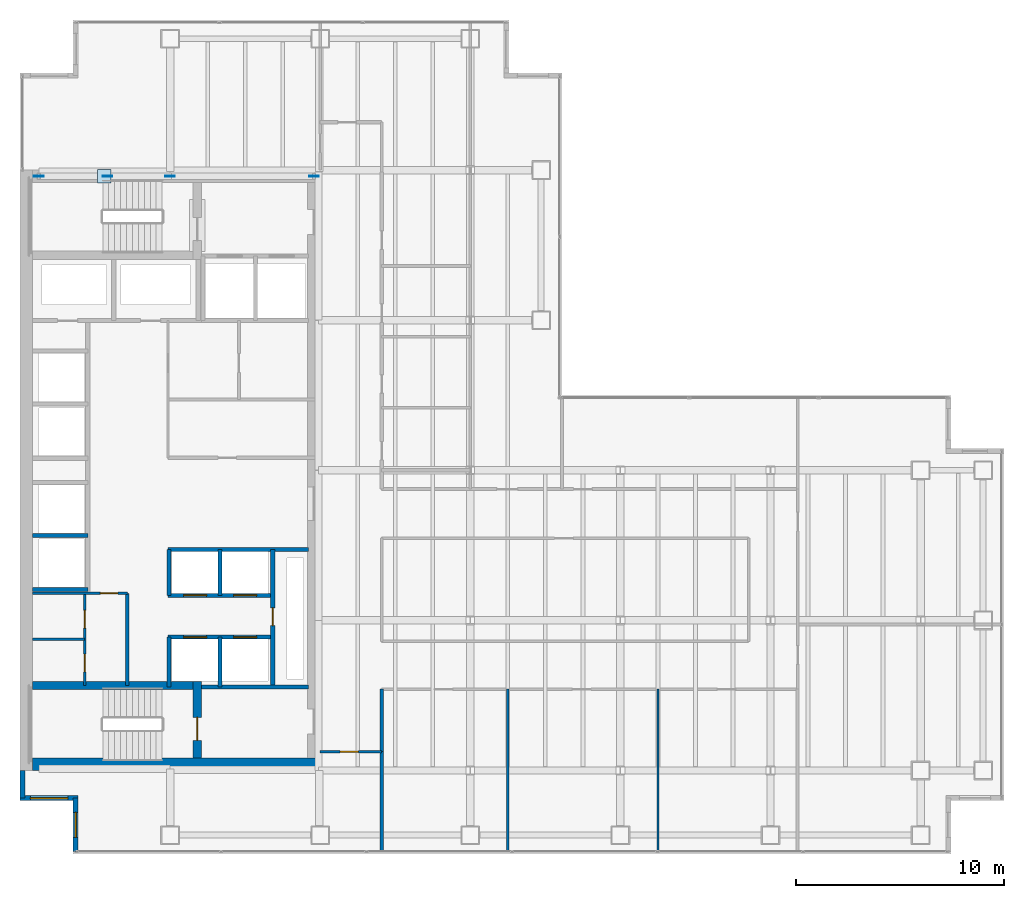
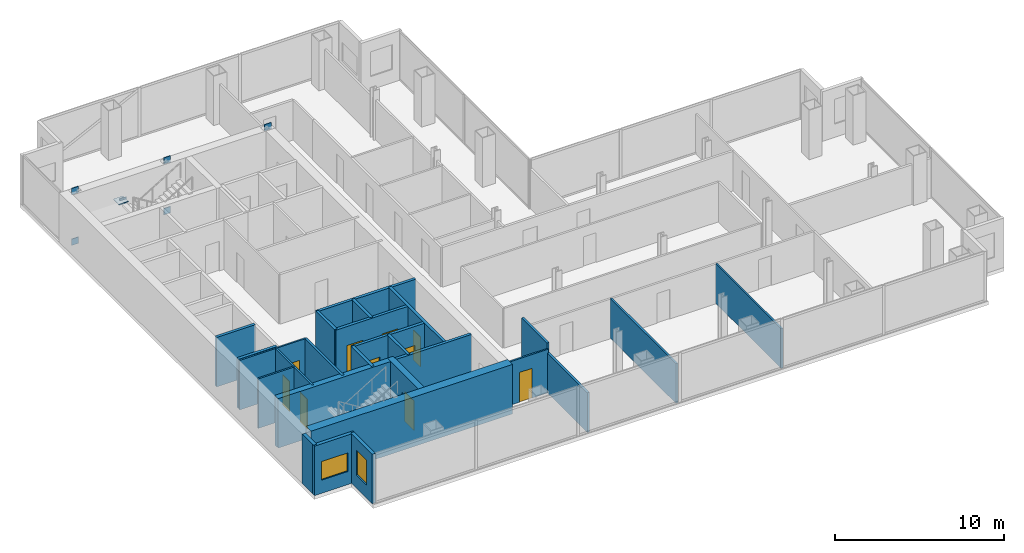
# One storey, part 20 of 24: 26 walls, 10 doors, 7 plates, 2 windows, 12 openings.
"""IFC4 building model written with IfcOpenShell, lengths in metres."""

from ifc_helpers import new_model, si_unit, direction, frame, frame_2d, origin, origin_2d, place, context, subcontext, project, spatial, rectangle, extrude, material, layer, layer_set, type_object, element, fill, save


model = new_model("IFC4")

# Units and contexts
model_context = context("Model", 3, precision=1e-05, world=origin(), true_north=direction((0.0, 1.0)))
body_context = subcontext(model_context, "Body", "Model", "MODEL_VIEW")
ifc_project = project(units=[si_unit("LENGTHUNIT", "METRE"), si_unit("AREAUNIT", "SQUARE_METRE"), si_unit("VOLUMEUNIT", "CUBIC_METRE"), si_unit("PLANEANGLEUNIT", "RADIAN"), si_unit("MASSUNIT", "GRAM", prefix="KILO")], contexts=[model_context])

# Site, building, storey
site_placement = place(None, origin())
site = spatial("IfcSite", under=ifc_project, at=site_placement, CompositionType="ELEMENT")
building_placement = place(site_placement, origin())
building = spatial("IfcBuilding", under=site, at=building_placement, Name="Cobrela Telecom Tower", CompositionType="ELEMENT")
storey_placement = place(building_placement, frame((0.0, 0.0, 136.85009765625)))
storey = spatial("IfcBuildingStorey", under=building, at=storey_placement, Name="L34", CompositionType="ELEMENT", Elevation=136.85009765625)

# Plates
ifc_material_1 = material(Name="Steel ASTM A572 Grade 50", Category="steel")
ifc_layer_1 = layer(ifc_material_1, 0.0419921875)
ifc_layer_set_1 = layer_set([ifc_layer_1], Name="Steel ASTM A572 Grade 50")
plate_type = type_object("IfcPlateType", Name="PLT-NODE-ND1", PredefinedType="USERDEFINED", material=ifc_layer_set_1)
for number, where, z_axis, x_axis, name in (
    (1, (0.89990234375, 35.699951171875, -0.27001953125), (0.0, 0.0, 1.0), (1.0, 0.0, 0.0), "Steel node plate PLT-MBR-EXO-L34-N1-A-0"),
    (2, (7.199951171875, 35.699951171875, 3.389892578125), (0.0, 0.0, 1.0), (1.0, 0.0, 0.0), "Steel node plate PLT-MBR-EXO-L34-N1-A-1"),
    (3, (7.199951171875, 35.699951171875, -0.27001953125), (0.0, 0.0, 1.0), (-1.0, 0.0, 0.0), "Steel node plate PLT-MBR-EXO-L34-N1-B1-0"),
    (4, (4.1953125, 35.699951171875, 1.4755859375), (0.0, 0.0, 1.0), (-1.0, 0.0, 0.0), "Steel node plate PLT-MBR-EXO-L34-N1-B1-1"),
    (5, (0.89990234375, 35.699951171875, 3.389892578125), (0.0, 0.0, 1.0), (-1.0, 0.0, 0.0), "Steel node plate PLT-MBR-EXO-L34-N1-B2-1"),
):
    element("IfcPlate", number, at=place(storey_placement, frame(where, z_axis=z_axis, x_axis=x_axis)), inside=storey, type_object=plate_type, Name=name, ObjectType="GUSSET PLATE", PredefinedType="USERDEFINED", context=body_context, shape_type="SweptSolid", body=[
        extrude(rectangle(XDim=0.4599609375, YDim=0.044921875, at=origin_2d()), origin(), (0.0, 0.0, 1.0), 0.4599609375),
    ])
plate_1_placement = place(storey_placement, frame((4.050048828125, 35.699951171875, 1.767333984375), z_axis=(0.0, 0.0, 1.0), x_axis=(1.0, 0.0, 0.0)))
element("IfcPlate", 6, at=plate_1_placement, inside=storey, type_object=plate_type, Name="L34 Core Flange Steel X-Brace Central X-Crossing Gusset Plate", ObjectType="GUSSET PLATE", PredefinedType="USERDEFINED", context=body_context, shape_type="SweptSolid", body=[
    extrude(rectangle(XDim=0.64990234375, YDim=0.64990234375, at=origin_2d()), origin(), (0.0, 0.0, 1.0), 0.044921875),
])
plate_2_placement = place(storey_placement, frame((14.10009765625, 35.699951171875, 3.389892578125), z_axis=(0.0, 0.0, 1.0), x_axis=(1.0, 0.0, 0.0)))
element("IfcPlate", 7, at=plate_2_placement, inside=storey, type_object=plate_type, Name="Steel node plate PLT-MBR-EXO-L34-N2-1", ObjectType="GUSSET PLATE", PredefinedType="USERDEFINED", context=body_context, shape_type="SweptSolid", body=[
    extrude(rectangle(XDim=0.4599609375, YDim=0.044921875, at=origin_2d()), origin(), (0.0, 0.0, 1.0), 0.4599609375),
])

# Wall
ifc_material_2 = material(Name="Concrete C50/60", Category="concrete")
ifc_layer_2 = layer(ifc_material_2, 0.60009765625)
ifc_layer_set_2 = layer_set([ifc_layer_2], Name="Concrete C50/60")
wall_type_1 = type_object("IfcWallType", Name="WALL-CORE-C50-600", PredefinedType="SHEAR", material=ifc_layer_set_2)
wall_1_placement = place(storey_placement, frame((0.60009765625, 7.5, 0.0), z_axis=(0.0, 0.0, 1.0), x_axis=(1.0, 0.0, 0.0)))
element("IfcWall", 8, at=wall_1_placement, inside=storey, type_object=wall_type_1, Name="L34 South Core Shear Wall", PredefinedType="SHEAR", context=body_context, shape_type="SweptSolid", body=[
    extrude(rectangle(XDim=13.7998046875, YDim=0.60009765625, at=frame_2d((6.89990234375, 0.0))), origin(), (0.0, 0.0, 1.0), 3.579833984375),
])

# Wall, opening, window
ifc_material_3 = material(Name="Concrete C40/50", Category="concrete")
ifc_layer_3 = layer(ifc_material_3, 0.239990234375)
ifc_layer_set_3 = layer_set([ifc_layer_3], Name="Concrete C40/50")
wall_type_2 = type_object("IfcWallType", Name="WALL-EXT-300", PredefinedType="STANDARD", material=ifc_layer_set_3)
wall_2_placement = place(storey_placement, frame((2.669921875, 3.320068359375, 0.0), z_axis=(0.0, 0.0, 1.0), x_axis=(0.0, 1.0, 0.0)))
wall_2 = element("IfcWall", 9, at=wall_2_placement, inside=storey, type_object=wall_type_2, Name="L34 Insulated Facade Wall 01", PredefinedType="STANDARD", context=body_context, shape_type="SweptSolid", body=[
    extrude(rectangle(XDim=2.550048828125, YDim=0.239990234375, at=frame_2d((1.27490234375, 0.0))), origin(), (0.0, 0.0, 1.0), 3.579833984375),
])
opening_1_placement = place(wall_2_placement, frame((0.675048828125, 0.0, 0.949951171875)))
opening_1 = element("IfcOpeningElement", 10, at=opening_1_placement, cuts=wall_2, Name="Opening WN-19", PredefinedType="OPENING", context=body_context, shape_type="SweptSolid", body=[
    extrude(rectangle(XDim=1.199951171875, YDim=1.800048828125, at=frame_2d((0.60009765625, 0.89990234375))), frame((0.0, 0.1318359375, 0.0), z_axis=(0.0, -1.0, 0.0), x_axis=(1.0, 0.0, 0.0)), (0.0, 0.0, 1.0), 0.263916015625),
])
ifc_material_4 = material(Name="Solar-Control Bronze Low-E Glass", Category="glass")
window_type_1 = type_object("IfcWindowType", Name="WIN-MOD-1200", PartitioningType="SINGLE_PANEL", PredefinedType="WINDOW", material=ifc_material_4)
window_1_placement = place(opening_1_placement, origin())
window_1 = element("IfcWindow", 11, at=window_1_placement, inside=storey, type_object=window_type_1, Name="L34 Corner Notch Facade Window 160", OverallHeight=1.800048828125, OverallWidth=1.199951171875, PartitioningType="SINGLE_PANEL", PredefinedType="WINDOW", context=body_context, shape_type="SweptSolid", body=[
    extrude(rectangle(XDim=1.199951171875, YDim=1.800048828125, at=frame_2d((0.60009765625, 0.89990234375))), frame((0.0, 0.030029296875, 0.0), z_axis=(0.0, -1.0, 0.0), x_axis=(1.0, 0.0, 0.0)), (0.0, 0.0, 1.0), 0.06005859375),
])
fill(opening_1, window_1)

wall_3_placement = place(storey_placement, frame((2.7900390625, 5.8701171875, 0.0), z_axis=(0.0, 0.0, 1.0), x_axis=(-1.0, 0.0, 0.0)))
wall_3 = element("IfcWall", 12, at=wall_3_placement, inside=storey, type_object=wall_type_2, Name="L34 Insulated Facade Wall 02", PredefinedType="STANDARD", context=body_context, shape_type="SweptSolid", body=[
    extrude(rectangle(XDim=2.7900390625, YDim=0.239990234375, at=frame_2d((1.39501953125, 0.0))), origin(), (0.0, 0.0, 1.0), 3.579833984375),
])
opening_2_placement = place(wall_3_placement, frame((0.4951171875, 0.0, 0.949951171875)))
opening_2 = element("IfcOpeningElement", 13, at=opening_2_placement, cuts=wall_3, Name="Opening WN-27", PredefinedType="OPENING", context=body_context, shape_type="SweptSolid", body=[
    extrude(rectangle(XDim=1.800048828125, YDim=1.35009765625, at=frame_2d((0.89990234375, 0.675048828125))), frame((0.0, 0.1318359375, 0.0), z_axis=(0.0, -1.0, 0.0), x_axis=(1.0, 0.0, 0.0)), (0.0, 0.0, 1.0), 0.263916015625),
])
window_type_2 = type_object("IfcWindowType", Name="WIN-CLER-1800", PartitioningType="SINGLE_PANEL", PredefinedType="WINDOW", material=ifc_material_4)
window_2_placement = place(opening_2_placement, origin())
window_2 = element("IfcWindow", 14, at=window_2_placement, inside=storey, type_object=window_type_2, Name="L34 Corner Notch Facade Window 161", OverallHeight=1.35009765625, OverallWidth=1.800048828125, PartitioningType="SINGLE_PANEL", PredefinedType="WINDOW", context=body_context, shape_type="SweptSolid", body=[
    extrude(rectangle(XDim=1.800048828125, YDim=1.35009765625, at=frame_2d((0.89990234375, 0.675048828125))), frame((0.0, 0.030029296875, 0.0), z_axis=(0.0, -1.0, 0.0), x_axis=(1.0, 0.0, 0.0)), (0.0, 0.0, 1.0), 0.06005859375),
])
fill(opening_2, window_2)

# Wall
wall_4_placement = place(storey_placement, frame((0.1201171875, 5.8701171875, 0.0), z_axis=(0.0, 0.0, 1.0), x_axis=(0.0, 1.0, 0.0)))
element("IfcWall", 15, at=wall_4_placement, inside=storey, type_object=wall_type_2, Name="L34 Insulated Facade Wall 03", PredefinedType="STANDARD", context=body_context, shape_type="SweptSolid", body=[
    extrude(rectangle(XDim=1.329833984375, YDim=0.239990234375, at=frame_2d((0.6650390625, 0.0))), origin(), (0.0, 0.0, 1.0), 3.579833984375),
])

# Wall, opening, door
ifc_material_5 = material(Name="Fire-Rated Gypsum Plasterboard")
ifc_layer_4 = layer(ifc_material_5, 0.110107421875)
ifc_layer_set_4 = layer_set([ifc_layer_4], Name="Fire-Rated Gypsum Plasterboard")
wall_type_3 = type_object("IfcWallType", Name="WALL-PART-110", PredefinedType="PARTITIONING", material=ifc_layer_set_4)
wall_5_placement = place(storey_placement, frame((0.60009765625, 15.699951171875, 0.0), z_axis=(0.0, 0.0, 1.0), x_axis=(1.0, 0.0, 0.0)))
wall_5 = element("IfcWall", 16, at=wall_5_placement, inside=storey, type_object=wall_type_3, Name="L34 Interior Partition CW-FLEX-N", PredefinedType="PARTITIONING", context=body_context, shape_type="SweptSolid", body=[
    extrude(rectangle(XDim=4.5498046875, YDim=0.110107421875, at=frame_2d((2.27490234375, 0.0))), origin(), (0.0, 0.0, 1.0), 3.579833984375),
])
opening_3_placement = place(wall_5_placement, frame((3.25, 0.0, 0.0)))
opening_3 = element("IfcOpeningElement", 17, at=opening_3_placement, cuts=wall_5, Name="Opening DR-11", PredefinedType="OPENING", context=body_context, shape_type="SweptSolid", body=[
    extrude(rectangle(XDim=0.85009765625, YDim=2.14990234375, at=frame_2d((0.425048828125, 1.074951171875))), frame((0.0, 0.06689453125, 0.0), z_axis=(0.0, -1.0, 0.0), x_axis=(1.0, 0.0, 0.0)), (0.0, 0.0, 1.0), 0.134033203125),
])
ifc_material_6 = material(Name="Solid Engineered Oak Timber", Category="wood")
door_type_1 = type_object("IfcDoorType", Name="DOOR-INT-850", OperationType="SINGLE_SWING_LEFT", PredefinedType="DOOR", material=ifc_material_6)
door_1_placement = place(opening_3_placement, origin())
door_1 = element("IfcDoor", 18, at=door_1_placement, inside=storey, type_object=door_type_1, Name="L34 Door DR-11", OperationType="SINGLE_SWING_LEFT", OverallHeight=2.14990234375, OverallWidth=0.85009765625, PredefinedType="DOOR", context=body_context, shape_type="SweptSolid", body=[
    extrude(rectangle(XDim=0.85009765625, YDim=2.14990234375, at=frame_2d((0.425048828125, 1.074951171875))), frame((0.0, 0.02490234375, 0.0), z_axis=(0.0, -1.0, 0.0), x_axis=(1.0, 0.0, 0.0)), (0.0, 0.0, 1.0), 0.050048828125),
])
fill(opening_3, door_1)

wall_6_placement = place(storey_placement, frame((14.39990234375, 8.10009765625, 0.0), z_axis=(0.0, 0.0, 1.0), x_axis=(1.0, 0.0, 0.0)))
wall_6 = element("IfcWall", 19, at=wall_6_placement, inside=storey, type_object=wall_type_3, Name="L34 Interior Partition W-UW-S0", PredefinedType="PARTITIONING", context=body_context, shape_type="SweptSolid", body=[
    extrude(rectangle(XDim=2.9501953125, YDim=0.110107421875, at=frame_2d((1.47509765625, 0.0))), origin(), (0.0, 0.0, 1.0), 3.14794921875),
])
opening_4_placement = place(wall_6_placement, frame((0.949951171875, 0.0, 0.0)))
opening_4 = element("IfcOpeningElement", 20, at=opening_4_placement, cuts=wall_6, Name="Opening DR-39", PredefinedType="OPENING", context=body_context, shape_type="SweptSolid", body=[
    extrude(rectangle(XDim=0.8798828125, YDim=2.14990234375, at=frame_2d((0.43994140625, 1.074951171875))), frame((0.0, 0.06689453125, 0.0), z_axis=(0.0, -1.0, 0.0), x_axis=(1.0, 0.0, 0.0)), (0.0, 0.0, 1.0), 0.134033203125),
])
door_type_2 = type_object("IfcDoorType", Name="DOOR-INT-880", OperationType="SINGLE_SWING_LEFT", PredefinedType="DOOR", material=ifc_material_6)
door_2_placement = place(opening_4_placement, origin())
door_2 = element("IfcDoor", 21, at=door_2_placement, inside=storey, type_object=door_type_2, Name="L34 Door DR-39", OperationType="SINGLE_SWING_RIGHT", OverallHeight=2.14990234375, OverallWidth=0.8798828125, PredefinedType="DOOR", context=body_context, shape_type="SweptSolid", body=[
    extrude(rectangle(XDim=0.8798828125, YDim=2.14990234375, at=frame_2d((0.43994140625, 1.074951171875))), frame((0.0, 0.02490234375, 0.0), z_axis=(0.0, -1.0, 0.0), x_axis=(1.0, 0.0, 0.0)), (0.0, 0.0, 1.0), 0.050048828125),
])
fill(opening_4, door_2)

# Walls
wall_7_placement = place(storey_placement, frame((30.60009765625, 3.320068359375, 0.0), z_axis=(0.0, 0.0, 1.0), x_axis=(0.0, 1.0, 0.0)))
element("IfcWall", 22, at=wall_7_placement, inside=storey, type_object=wall_type_3, Name="L34 Interior Partition W-USV-2", PredefinedType="PARTITIONING", context=body_context, shape_type="SweptSolid", body=[
    extrude(rectangle(XDim=7.780029296875, YDim=0.110107421875, at=frame_2d((3.89013671875, 0.0))), origin(), (0.0, 0.0, 1.0), 2.868896484375),
])
ifc_layer_5 = layer(ifc_material_5, 0.125)
ifc_layer_set_5 = layer_set([ifc_layer_5], Name="Fire-Rated Gypsum Plasterboard")
wall_type_4 = type_object("IfcWallType", Name="WALL-PART-125", PredefinedType="PARTITIONING", material=ifc_layer_set_5)
wall_8_placement = place(storey_placement, frame((0.60009765625, 13.5, 0.0), z_axis=(0.0, 0.0, 1.0), x_axis=(1.0, 0.0, 0.0)))
element("IfcWall", 23, at=wall_8_placement, inside=storey, type_object=wall_type_4, Name="L34 Interior Partition CW-FK3-H", PredefinedType="PARTITIONING", context=body_context, shape_type="SweptSolid", body=[
    extrude(rectangle(XDim=2.5, YDim=0.125, at=frame_2d((1.25, 0.0))), origin(), (0.0, 0.0, 1.0), 3.579833984375),
])

# Wall, openings, doors
wall_9_placement = place(storey_placement, frame((3.10009765625, 11.280029296875, 0.0), z_axis=(0.0, 0.0, 1.0), x_axis=(0.0, 1.0, 0.0)))
wall_9 = element("IfcWall", 24, at=wall_9_placement, inside=storey, type_object=wall_type_4, Name="L34 Interior Partition CW-FK3-V", PredefinedType="PARTITIONING", context=body_context, shape_type="SweptSolid", body=[
    extrude(rectangle(XDim=4.419921875, YDim=0.125, at=frame_2d((2.2099609375, 0.0))), origin(), (0.0, 0.0, 1.0), 3.579833984375),
])
opening_5_placement = place(wall_9_placement, frame((0.64990234375, 0.0, 0.0)))
opening_5 = element("IfcOpeningElement", 25, at=opening_5_placement, cuts=wall_9, Name="Opening DR-11", PredefinedType="OPENING", context=body_context, shape_type="SweptSolid", body=[
    extrude(rectangle(XDim=0.85009765625, YDim=2.14990234375, at=frame_2d((0.425048828125, 1.074951171875))), frame((0.0, 0.074462890625, 0.0), z_axis=(0.0, -1.0, 0.0), x_axis=(1.0, 0.0, 0.0)), (0.0, 0.0, 1.0), 0.14892578125),
])
opening_6_placement = place(wall_9_placement, frame((2.75, 0.0, 0.0)))
opening_6 = element("IfcOpeningElement", 26, at=opening_6_placement, cuts=wall_9, Name="Opening DR-11", PredefinedType="OPENING", context=body_context, shape_type="SweptSolid", body=[
    extrude(rectangle(XDim=0.85009765625, YDim=2.14990234375, at=frame_2d((0.425048828125, 1.074951171875))), frame((0.0, 0.074462890625, 0.0), z_axis=(0.0, -1.0, 0.0), x_axis=(1.0, 0.0, 0.0)), (0.0, 0.0, 1.0), 0.14892578125),
])
door_3_placement = place(opening_5_placement, origin())
door_3 = element("IfcDoor", 27, at=door_3_placement, inside=storey, type_object=door_type_1, Name="L34 Door DR-11", OperationType="SINGLE_SWING_LEFT", OverallHeight=2.14990234375, OverallWidth=0.85009765625, PredefinedType="DOOR", context=body_context, shape_type="SweptSolid", body=[
    extrude(rectangle(XDim=0.85009765625, YDim=2.14990234375, at=frame_2d((0.425048828125, 1.074951171875))), frame((0.0, 0.02490234375, 0.0), z_axis=(0.0, -1.0, 0.0), x_axis=(1.0, 0.0, 0.0)), (0.0, 0.0, 1.0), 0.050048828125),
])
fill(opening_5, door_3)
door_4_placement = place(opening_6_placement, origin())
door_4 = element("IfcDoor", 28, at=door_4_placement, inside=storey, type_object=door_type_1, Name="L34 Door DR-11", OperationType="SINGLE_SWING_RIGHT", OverallHeight=2.14990234375, OverallWidth=0.85009765625, PredefinedType="DOOR", context=body_context, shape_type="SweptSolid", body=[
    extrude(rectangle(XDim=0.85009765625, YDim=2.14990234375, at=frame_2d((0.425048828125, 1.074951171875))), frame((0.0, 0.02490234375, 0.0), z_axis=(0.0, -1.0, 0.0), x_axis=(1.0, 0.0, 0.0)), (0.0, 0.0, 1.0), 0.050048828125),
])
fill(opening_6, door_4)

# Walls
ifc_layer_6 = layer(ifc_material_5, 0.135009765625)
ifc_layer_set_6 = layer_set([ifc_layer_6], Name="Fire-Rated Gypsum Plasterboard")
wall_type_5 = type_object("IfcWallType", Name="WALL-PART-135", PredefinedType="PARTITIONING", material=ifc_layer_set_6)
wall_10_placement = place(storey_placement, frame((23.39990234375, 3.320068359375, 0.0), z_axis=(0.0, 0.0, 1.0), x_axis=(0.0, 1.0, 0.0)))
element("IfcWall", 29, at=wall_10_placement, inside=storey, type_object=wall_type_5, Name="L34 Interior Partition W-USV-1", PredefinedType="PARTITIONING", context=body_context, shape_type="SweptSolid", body=[
    extrude(rectangle(XDim=7.780029296875, YDim=0.135009765625, at=frame_2d((3.89013671875, 0.0))), origin(), (0.0, 0.0, 1.0), 2.868896484375),
])
ifc_layer_7 = layer(ifc_material_5, 0.14990234375)
ifc_layer_set_7 = layer_set([ifc_layer_7], Name="Fire-Rated Gypsum Plasterboard")
wall_type_6 = type_object("IfcWallType", Name="WALL-PART-150", PredefinedType="PARTITIONING", material=ifc_layer_set_7)
wall_11_placement = place(storey_placement, frame((17.35009765625, 3.320068359375, 0.0), z_axis=(0.0, 0.0, 1.0), x_axis=(0.0, 1.0, 0.0)))
element("IfcWall", 30, at=wall_11_placement, inside=storey, type_object=wall_type_6, Name="L34 Interior Partition W-USW-E", PredefinedType="PARTITIONING", context=body_context, shape_type="SweptSolid", body=[
    extrude(rectangle(XDim=4.780029296875, YDim=0.14990234375, at=frame_2d((2.39013671875, 0.0))), origin(), (0.0, 0.0, 1.0), 2.868896484375),
])
ifc_layer_8 = layer(ifc_material_5, 0.159912109375)
ifc_layer_set_8 = layer_set([ifc_layer_8], Name="Fire-Rated Gypsum Plasterboard")
wall_type_7 = type_object("IfcWallType", Name="WALL-PART-160", PredefinedType="PARTITIONING", material=ifc_layer_set_8)
wall_12_placement = place(storey_placement, frame((5.14990234375, 11.280029296875, 0.0), z_axis=(0.0, 0.0, 1.0), x_axis=(0.0, 1.0, 0.0)))
element("IfcWall", 31, at=wall_12_placement, inside=storey, type_object=wall_type_7, Name="L34 Interior Partition CW-FLEX-E", PredefinedType="PARTITIONING", context=body_context, shape_type="SweptSolid", body=[
    extrude(rectangle(XDim=4.419921875, YDim=0.159912109375, at=frame_2d((2.2099609375, 0.0))), origin(), (0.0, 0.0, 1.0), 3.579833984375),
])
wall_13_placement = place(storey_placement, frame((17.35009765625, 8.10009765625, 0.0), z_axis=(0.0, 0.0, 1.0), x_axis=(0.0, 1.0, 0.0)))
element("IfcWall", 32, at=wall_13_placement, inside=storey, type_object=wall_type_7, Name="L34 Interior Partition W-UW-E1", PredefinedType="PARTITIONING", context=body_context, shape_type="SweptSolid", body=[
    extrude(rectangle(XDim=3.0, YDim=0.159912109375, at=frame_2d((1.5, 0.0))), origin(), (0.0, 0.0, 1.0), 3.579833984375),
])
ifc_layer_9 = layer(ifc_material_5, 0.199951171875)
ifc_layer_set_9 = layer_set([ifc_layer_9], Name="Fire-Rated Gypsum Plasterboard")
wall_type_8 = type_object("IfcWallType", Name="WALL-SHAFT-200", PredefinedType="PARTITIONING", material=ifc_layer_set_9)
wall_14_placement = place(storey_placement, frame((8.699951171875, 11.199951171875, 0.0), z_axis=(0.0, 0.0, 1.0), x_axis=(1.0, 0.0, 0.0)))
element("IfcWall", 33, at=wall_14_placement, inside=storey, type_object=wall_type_8, Name="L34 Shaft Enclosure CW-ST2L-N", PredefinedType="PARTITIONING", context=body_context, shape_type="SweptSolid", body=[
    extrude(rectangle(XDim=5.150146484375, YDim=0.199951171875, at=frame_2d((2.5751953125, 0.0))), origin(), (0.0, 0.0, 1.0), 3.579833984375),
])
for number, where, z_axis, x_axis, name in (
    (34, (0.60009765625, 15.8798828125, 0.0), (0.0, 0.0, 1.0), (1.0, 0.0, 0.0), "L34 Shaft Enclosure CW-PLH-D9"),
    (35, (0.60009765625, 18.47998046875, 0.0), (0.0, 0.0, 1.0), (1.0, 0.0, 0.0), "L34 Shaft Enclosure CW-PLH-D10"),
):
    element("IfcWall", number, at=place(storey_placement, frame(where, z_axis=z_axis, x_axis=x_axis)), inside=storey, type_object=wall_type_8, Name=name, PredefinedType="PARTITIONING", context=body_context, shape_type="SweptSolid", body=[
        extrude(rectangle(XDim=2.64990234375, YDim=0.199951171875, at=frame_2d((1.324951171875, 0.0))), origin(), (0.0, 0.0, 1.0), 3.579833984375),
    ])
wall_15_placement = place(storey_placement, frame((7.10009765625, 17.800048828125, 0.0), z_axis=(0.0, 0.0, 1.0), x_axis=(1.0, 0.0, 0.0)))
element("IfcWall", 36, at=wall_15_placement, inside=storey, type_object=wall_type_8, Name="L34 Shaft Enclosure CW-PLM-T0", PredefinedType="PARTITIONING", context=body_context, shape_type="SweptSolid", body=[
    extrude(rectangle(XDim=6.75, YDim=0.199951171875, at=frame_2d((3.375, 0.0))), origin(), (0.0, 0.0, 1.0), 3.579833984375),
])

# Wall, openings, doors
wall_16_placement = place(storey_placement, frame((7.10009765625, 15.60009765625, 0.0), z_axis=(0.0, 0.0, 1.0), x_axis=(1.0, 0.0, 0.0)))
wall_16 = element("IfcWall", 37, at=wall_16_placement, inside=storey, type_object=wall_type_8, Name="L34 Shaft Enclosure CW-PLM-N", PredefinedType="PARTITIONING", context=body_context, shape_type="SweptSolid", body=[
    extrude(rectangle(XDim=5.02001953125, YDim=0.199951171875, at=frame_2d((2.510009765625, 0.0))), origin(), (0.0, 0.0, 1.0), 3.579833984375),
])
opening_7_placement = place(wall_16_placement, frame((0.75, 0.0, 0.0)))
opening_7 = element("IfcOpeningElement", 38, at=opening_7_placement, cuts=wall_16, Name="Opening LD-1", PredefinedType="OPENING", context=body_context, shape_type="SweptSolid", body=[
    extrude(rectangle(XDim=1.10009765625, YDim=2.199951171875, at=frame_2d((0.550048828125, 1.10009765625))), frame((0.0, 0.11181640625, 0.0), z_axis=(0.0, -1.0, 0.0), x_axis=(1.0, 0.0, 0.0)), (0.0, 0.0, 1.0), 0.223876953125),
])
opening_8_placement = place(wall_16_placement, frame((3.14990234375, 0.0, 0.0)))
opening_8 = element("IfcOpeningElement", 39, at=opening_8_placement, cuts=wall_16, Name="Opening LD-1", PredefinedType="OPENING", context=body_context, shape_type="SweptSolid", body=[
    extrude(rectangle(XDim=1.10009765625, YDim=2.199951171875, at=frame_2d((0.550048828125, 1.10009765625))), frame((0.0, 0.11181640625, 0.0), z_axis=(0.0, -1.0, 0.0), x_axis=(1.0, 0.0, 0.0)), (0.0, 0.0, 1.0), 0.223876953125),
])
ifc_material_7 = material(Name="Steel ASTM A36", Category="steel")
door_type_3 = type_object("IfcDoorType", Name="DOOR-LD-PL", OperationType="SINGLE_SWING_LEFT", PredefinedType="DOOR", material=ifc_material_7)
door_5_placement = place(opening_7_placement, origin())
door_5 = element("IfcDoor", 40, at=door_5_placement, inside=storey, type_object=door_type_3, Name="L34 Lift Landing Door LD-1", OperationType="DOUBLE_DOOR_SLIDING", OverallHeight=2.199951171875, OverallWidth=1.10009765625, PredefinedType="DOOR", context=body_context, shape_type="SweptSolid", body=[
    extrude(rectangle(XDim=1.10009765625, YDim=2.199951171875, at=frame_2d((0.550048828125, 1.10009765625))), frame((0.0, 0.02490234375, 0.0), z_axis=(0.0, -1.0, 0.0), x_axis=(1.0, 0.0, 0.0)), (0.0, 0.0, 1.0), 0.050048828125),
])
fill(opening_7, door_5)
door_6_placement = place(opening_8_placement, origin())
door_6 = element("IfcDoor", 41, at=door_6_placement, inside=storey, type_object=door_type_3, Name="L34 Lift Landing Door LD-1", OperationType="DOUBLE_DOOR_SLIDING", OverallHeight=2.199951171875, OverallWidth=1.10009765625, PredefinedType="DOOR", context=body_context, shape_type="SweptSolid", body=[
    extrude(rectangle(XDim=1.10009765625, YDim=2.199951171875, at=frame_2d((0.550048828125, 1.10009765625))), frame((0.0, 0.02490234375, 0.0), z_axis=(0.0, -1.0, 0.0), x_axis=(1.0, 0.0, 0.0)), (0.0, 0.0, 1.0), 0.050048828125),
])
fill(opening_8, door_6)

wall_17_placement = place(storey_placement, frame((7.10009765625, 13.60009765625, 0.0), z_axis=(0.0, 0.0, 1.0), x_axis=(1.0, 0.0, 0.0)))
wall_17 = element("IfcWall", 42, at=wall_17_placement, inside=storey, type_object=wall_type_8, Name="L34 Shaft Enclosure CW-PLM-S", PredefinedType="PARTITIONING", context=body_context, shape_type="SweptSolid", body=[
    extrude(rectangle(XDim=5.02001953125, YDim=0.199951171875, at=frame_2d((2.510009765625, 0.0))), origin(), (0.0, 0.0, 1.0), 3.579833984375),
])
opening_9_placement = place(wall_17_placement, frame((0.75, 0.0, 0.0)))
opening_9 = element("IfcOpeningElement", 43, at=opening_9_placement, cuts=wall_17, Name="Opening LD-1", PredefinedType="OPENING", context=body_context, shape_type="SweptSolid", body=[
    extrude(rectangle(XDim=1.10009765625, YDim=2.199951171875, at=frame_2d((0.550048828125, 1.10009765625))), frame((0.0, 0.11181640625, 0.0), z_axis=(0.0, -1.0, 0.0), x_axis=(1.0, 0.0, 0.0)), (0.0, 0.0, 1.0), 0.223876953125),
])
opening_10_placement = place(wall_17_placement, frame((3.14990234375, 0.0, 0.0)))
opening_10 = element("IfcOpeningElement", 44, at=opening_10_placement, cuts=wall_17, Name="Opening LD-1", PredefinedType="OPENING", context=body_context, shape_type="SweptSolid", body=[
    extrude(rectangle(XDim=1.10009765625, YDim=2.199951171875, at=frame_2d((0.550048828125, 1.10009765625))), frame((0.0, 0.11181640625, 0.0), z_axis=(0.0, -1.0, 0.0), x_axis=(1.0, 0.0, 0.0)), (0.0, 0.0, 1.0), 0.223876953125),
])
door_7_placement = place(opening_9_placement, origin())
door_7 = element("IfcDoor", 45, at=door_7_placement, inside=storey, type_object=door_type_3, Name="L34 Lift Landing Door LD-1", OperationType="DOUBLE_DOOR_SLIDING", OverallHeight=2.199951171875, OverallWidth=1.10009765625, PredefinedType="DOOR", context=body_context, shape_type="SweptSolid", body=[
    extrude(rectangle(XDim=1.10009765625, YDim=2.199951171875, at=frame_2d((0.550048828125, 1.10009765625))), frame((0.0, 0.02490234375, 0.0), z_axis=(0.0, -1.0, 0.0), x_axis=(1.0, 0.0, 0.0)), (0.0, 0.0, 1.0), 0.050048828125),
])
fill(opening_9, door_7)
door_8_placement = place(opening_10_placement, origin())
door_8 = element("IfcDoor", 46, at=door_8_placement, inside=storey, type_object=door_type_3, Name="L34 Lift Landing Door LD-1", OperationType="DOUBLE_DOOR_SLIDING", OverallHeight=2.199951171875, OverallWidth=1.10009765625, PredefinedType="DOOR", context=body_context, shape_type="SweptSolid", body=[
    extrude(rectangle(XDim=1.10009765625, YDim=2.199951171875, at=frame_2d((0.550048828125, 1.10009765625))), frame((0.0, 0.02490234375, 0.0), z_axis=(0.0, -1.0, 0.0), x_axis=(1.0, 0.0, 0.0)), (0.0, 0.0, 1.0), 0.050048828125),
])
fill(opening_10, door_8)

# Walls
wall_18_placement = place(storey_placement, frame((7.14990234375, 15.60009765625, 0.0), z_axis=(0.0, 0.0, 1.0), x_axis=(0.0, 1.0, 0.0)))
element("IfcWall", 47, at=wall_18_placement, inside=storey, type_object=wall_type_8, Name="L34 Shaft Enclosure CW-PLM-V1", PredefinedType="PARTITIONING", context=body_context, shape_type="SweptSolid", body=[
    extrude(rectangle(XDim=2.199951171875, YDim=0.199951171875, at=frame_2d((1.10009765625, 0.0))), origin(), (0.0, 0.0, 1.0), 3.579833984375),
])
wall_19_placement = place(storey_placement, frame((7.14990234375, 11.199951171875, 0.0), z_axis=(0.0, 0.0, 1.0), x_axis=(0.0, 1.0, 0.0)))
element("IfcWall", 48, at=wall_19_placement, inside=storey, type_object=wall_type_8, Name="L34 Shaft Enclosure CW-PLM-V1B", PredefinedType="PARTITIONING", context=body_context, shape_type="SweptSolid", body=[
    extrude(rectangle(XDim=2.400146484375, YDim=0.199951171875, at=frame_2d((1.2001953125, 0.0))), origin(), (0.0, 0.0, 1.0), 3.579833984375),
])
wall_20_placement = place(storey_placement, frame((9.60009765625, 15.60009765625, 0.0), z_axis=(0.0, 0.0, 1.0), x_axis=(0.0, 1.0, 0.0)))
element("IfcWall", 49, at=wall_20_placement, inside=storey, type_object=wall_type_8, Name="L34 Shaft Enclosure CW-PLM-V2", PredefinedType="PARTITIONING", context=body_context, shape_type="SweptSolid", body=[
    extrude(rectangle(XDim=2.199951171875, YDim=0.199951171875, at=frame_2d((1.10009765625, 0.0))), origin(), (0.0, 0.0, 1.0), 3.579833984375),
])
wall_21_placement = place(storey_placement, frame((9.60009765625, 11.199951171875, 0.0), z_axis=(0.0, 0.0, 1.0), x_axis=(0.0, 1.0, 0.0)))
element("IfcWall", 50, at=wall_21_placement, inside=storey, type_object=wall_type_8, Name="L34 Shaft Enclosure CW-PLM-V2B", PredefinedType="PARTITIONING", context=body_context, shape_type="SweptSolid", body=[
    extrude(rectangle(XDim=2.400146484375, YDim=0.199951171875, at=frame_2d((1.2001953125, 0.0))), origin(), (0.0, 0.0, 1.0), 3.579833984375),
])

# Wall, opening, door
wall_22_placement = place(storey_placement, frame((12.1201171875, 11.199951171875, 0.0), z_axis=(0.0, 0.0, 1.0), x_axis=(0.0, 1.0, 0.0)))
wall_22 = element("IfcWall", 51, at=wall_22_placement, inside=storey, type_object=wall_type_8, Name="L34 Shaft Enclosure CW-PLM-V3", PredefinedType="PARTITIONING", context=body_context, shape_type="SweptSolid", body=[
    extrude(rectangle(XDim=6.60009765625, YDim=0.199951171875, at=frame_2d((3.300048828125, 0.0))), origin(), (0.0, 0.0, 1.0), 3.579833984375),
])
opening_11_placement = place(wall_22_placement, frame((2.949951171875, 0.0, 0.0)))
opening_11 = element("IfcOpeningElement", 52, at=opening_11_placement, cuts=wall_22, Name="Opening DR-11", PredefinedType="OPENING", context=body_context, shape_type="SweptSolid", body=[
    extrude(rectangle(XDim=0.85009765625, YDim=2.14990234375, at=frame_2d((0.425048828125, 1.074951171875))), frame((0.0, 0.11181640625, 0.0), z_axis=(0.0, -1.0, 0.0), x_axis=(1.0, 0.0, 0.0)), (0.0, 0.0, 1.0), 0.223876953125),
])
door_9_placement = place(opening_11_placement, origin())
door_9 = element("IfcDoor", 53, at=door_9_placement, inside=storey, type_object=door_type_1, Name="L34 Door DR-11", OperationType="SINGLE_SWING_RIGHT", OverallHeight=2.14990234375, OverallWidth=0.85009765625, PredefinedType="DOOR", context=body_context, shape_type="SweptSolid", body=[
    extrude(rectangle(XDim=0.85009765625, YDim=2.14990234375, at=frame_2d((0.425048828125, 1.074951171875))), frame((0.0, 0.02490234375, 0.0), z_axis=(0.0, -1.0, 0.0), x_axis=(1.0, 0.0, 0.0)), (0.0, 0.0, 1.0), 0.050048828125),
])
fill(opening_11, door_9)

# Wall
ifc_layer_10 = layer(ifc_material_3, 0.39990234375)
ifc_layer_set_10 = layer_set([ifc_layer_10], Name="Concrete C40/50")
wall_type_9 = type_object("IfcWallType", Name="WALL-SHAFT-C40-400", PredefinedType="SHEAR", material=ifc_layer_set_10)
wall_23_placement = place(storey_placement, frame((0.60009765625, 11.280029296875, 0.0), z_axis=(0.0, 0.0, 1.0), x_axis=(1.0, 0.0, 0.0)))
element("IfcWall", 54, at=wall_23_placement, inside=storey, type_object=wall_type_9, Name="L34 South Stair Shear Wall", PredefinedType="SHEAR", context=body_context, shape_type="SweptSolid", body=[
    extrude(rectangle(XDim=7.699951171875, YDim=0.39990234375, at=frame_2d((3.85009765625, 0.0))), origin(), (0.0, 0.0, 1.0), 3.579833984375),
])

# Wall, opening, door
wall_24_placement = place(storey_placement, frame((8.5, 7.800048828125, 0.0), z_axis=(0.0, 0.0, 1.0), x_axis=(0.0, 1.0, 0.0)))
wall_24 = element("IfcWall", 55, at=wall_24_placement, inside=storey, type_object=wall_type_9, Name="L34 South Stair Lobby Shear Wall", PredefinedType="SHEAR", context=body_context, shape_type="SweptSolid", body=[
    extrude(rectangle(XDim=3.679931640625, YDim=0.39990234375, at=frame_2d((1.83984375, 0.0))), origin(), (0.0, 0.0, 1.0), 3.579833984375),
])
opening_12_placement = place(wall_24_placement, frame((0.85009765625, 0.0, 0.0)))
opening_12 = element("IfcOpeningElement", 56, at=opening_12_placement, cuts=wall_24, Name="Opening FD-90", PredefinedType="OPENING", context=body_context, shape_type="SweptSolid", body=[
    extrude(rectangle(XDim=1.10009765625, YDim=2.14990234375, at=frame_2d((0.550048828125, 1.074951171875))), frame((0.0, 0.2119140625, 0.0), z_axis=(0.0, -1.0, 0.0), x_axis=(1.0, 0.0, 0.0)), (0.0, 0.0, 1.0), 0.423828125),
])
door_type_4 = type_object("IfcDoorType", Name="DOOR-FD90-1100", OperationType="SINGLE_SWING_LEFT", PredefinedType="DOOR", material=ifc_material_7)
door_10_placement = place(opening_12_placement, origin())
door_10 = element("IfcDoor", 57, at=door_10_placement, inside=storey, type_object=door_type_4, Name="L34 Door FD-90", OperationType="SINGLE_SWING_LEFT", OverallHeight=2.14990234375, OverallWidth=1.10009765625, PredefinedType="DOOR", context=body_context, shape_type="SweptSolid", body=[
    extrude(rectangle(XDim=1.10009765625, YDim=2.14990234375, at=frame_2d((0.550048828125, 1.074951171875))), frame((0.0, 0.02490234375, 0.0), z_axis=(0.0, -1.0, 0.0), x_axis=(1.0, 0.0, 0.0)), (0.0, 0.0, 1.0), 0.050048828125),
])
fill(opening_12, door_10)

save(model, "model.ifc")
